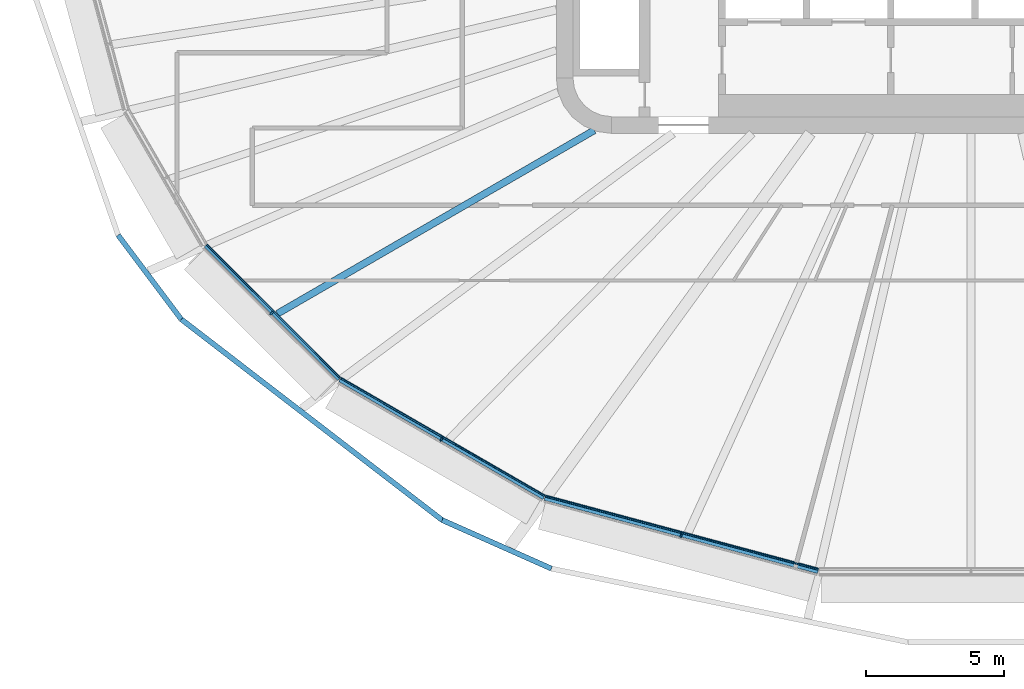
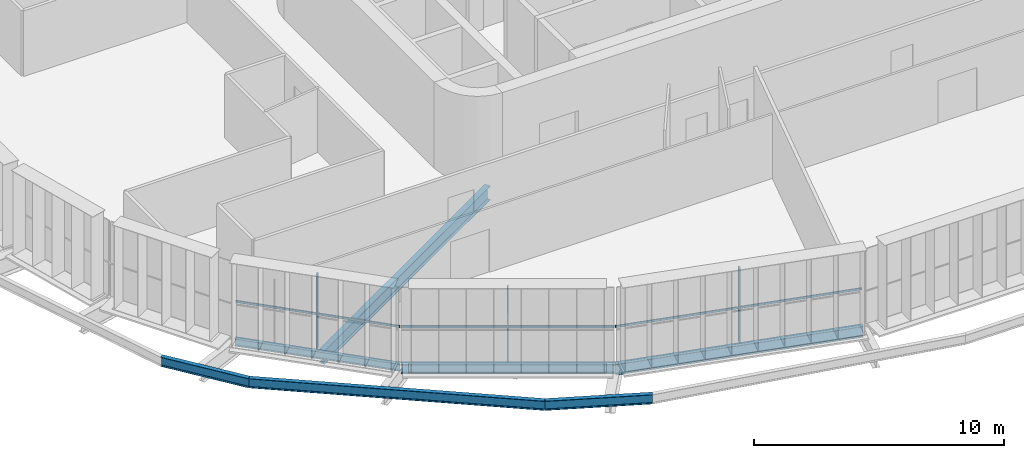
# One storey, part 1 of 25: 7 beams, 6 members, 3 elements without a shape of their own.
"""IFC4 building model written with IfcOpenShell, lengths in metres."""

from ifc_helpers import new_model, si_unit, direction, frame, origin, origin_2d, place, context, subcontext, project, spatial, rectangle, i_section, extrude, material, layer, layer_set, material_profile, profile_set, type_object, element, aggregate, save


model = new_model("IFC4")

# Units and contexts
model_context = context("Model", 3, precision=1e-05, world=origin(), true_north=direction((0.0, 1.0)))
body_context = subcontext(model_context, "Body", "Model", "MODEL_VIEW")
ifc_project = project(units=[si_unit("LENGTHUNIT", "METRE"), si_unit("AREAUNIT", "SQUARE_METRE"), si_unit("VOLUMEUNIT", "CUBIC_METRE"), si_unit("PLANEANGLEUNIT", "RADIAN"), si_unit("MASSUNIT", "GRAM", prefix="KILO")], contexts=[model_context])

# Site, building, storey
site_placement = place(None, origin())
site = spatial("IfcSite", under=ifc_project, at=site_placement, CompositionType="ELEMENT")
building_placement = place(site_placement, origin())
building = spatial("IfcBuilding", under=site, at=building_placement, Name="Sahrelin Media Tower", CompositionType="ELEMENT")
storey_placement = place(building_placement, frame((0.0, 0.0, 110.39990234375)))
storey = spatial("IfcBuildingStorey", under=building, at=storey_placement, Name="L21", CompositionType="ELEMENT", Elevation=110.39990234375)

# Beams
ifc_material_1 = material(Name="Steel S355", Category="steel")
ifc_material_profile_1 = material_profile(ifc_material_1, i_section(OverallWidth=0.17138671875, OverallDepth=0.35498046875, WebThickness=0.00732421875, FlangeThickness=0.011474609375, FilletRadius=0.01025390625, at=origin_2d()), Name="UB 356x171x51")
ifc_profile_set_1 = profile_set([ifc_material_profile_1], Name="Steel S355")
beam_type_1 = type_object("IfcBeamType", Name="Edge beam EB3", PredefinedType="BEAM", material=ifc_profile_set_1)
beam_1_placement = place(storey_placement, frame((-22.849609375, -16.8798828125, -0.327392578125), z_axis=(-0.707124646667, 0.707088915255, 0.0), x_axis=(-0.707088915255, -0.707124646667, 0.0)))
element("IfcBeam", 1, at=beam_1_placement, inside=storey, type_object=beam_type_1, Name="Edge beam L21-10", PredefinedType="BEAM", context=body_context, shape_type="SweptSolid", body=[
    extrude(i_section(OverallWidth=0.17138671875, OverallDepth=0.35498046875, WebThickness=0.00732421875, FlangeThickness=0.011474609375, FilletRadius=0.01025390625, at=origin_2d()), origin(), (0.0, 0.0, 1.0), 6.832763671875),
])
ifc_material_profile_2 = material_profile(ifc_material_1, i_section(OverallWidth=0.1904296875, OverallDepth=0.45703125, WebThickness=0.009033203125, FlangeThickness=0.014404296875, FilletRadius=0.01025390625, at=origin_2d()), Name="UB 457x191x74")
ifc_profile_set_2 = profile_set([ifc_material_profile_2], Name="Steel S355")
beam_type_2 = type_object("IfcBeamType", Name="Edge beam EB5", PredefinedType="BEAM", material=ifc_profile_set_2)
beam_2_placement = place(storey_placement, frame((-15.438232421875, -21.163330078125, -0.37841796875), z_axis=(-0.866017364183, 0.500013924739, 0.0), x_axis=(-0.500013924739, -0.866017364183, 0.0)))
element("IfcBeam", 2, at=beam_2_placement, inside=storey, type_object=beam_type_2, Name="Edge beam L21-09", PredefinedType="BEAM", context=body_context, shape_type="SweptSolid", body=[
    extrude(i_section(OverallWidth=0.1904296875, OverallDepth=0.45703125, WebThickness=0.009033203125, FlangeThickness=0.014404296875, FilletRadius=0.01025390625, at=origin_2d()), origin(), (0.0, 0.0, 1.0), 8.531494140625),
])
ifc_material_profile_3 = material_profile(ifc_material_1, i_section(OverallWidth=0.208740234375, OverallDepth=0.5283203125, WebThickness=0.009521484375, FlangeThickness=0.01318359375, FilletRadius=0.0126953125, at=origin_2d()), Name="UB 533x210x82")
ifc_profile_set_3 = profile_set([ifc_material_profile_3], Name="Steel S355")
beam_type_3 = type_object("IfcBeamType", Name="Edge beam EB6", PredefinedType="BEAM", material=ifc_profile_set_3)
beam_3_placement = place(storey_placement, frame((-5.525146484375, -23.8232421875, -0.4140625), z_axis=(-0.965929419345, 0.258805635261, 0.0), x_axis=(-0.258805635261, -0.965929419345, 0.0)))
element("IfcBeam", 3, at=beam_3_placement, inside=storey, type_object=beam_type_3, Name="Edge beam L21-08", PredefinedType="BEAM", context=body_context, shape_type="SweptSolid", body=[
    extrude(i_section(OverallWidth=0.208740234375, OverallDepth=0.5283203125, WebThickness=0.009521484375, FlangeThickness=0.01318359375, FilletRadius=0.0126953125, at=origin_2d()), origin(), (0.0, 0.0, 1.0), 10.235107421875),
])

# Curtain wall, member
ifc_material_2 = material(Name="Champagne anodised aluminium 6063-T6", Category="aluminium")
ifc_layer = layer(ifc_material_2, 0.14990234375)
ifc_layer_set = layer_set([ifc_layer], Name="Tower ribbon curtain wall")
curtain_wall_type = type_object("IfcCurtainWallType", Name="Tower ribbon curtain wall", PredefinedType="NOTDEFINED", material=ifc_layer_set)
curtain_wall_1_placement = place(storey_placement, frame((-25.371337890625, -14.5703125, 0.0), z_axis=(0.0, 0.0, 1.0), x_axis=(1.0, 0.0, 0.0)))
curtain_wall_1 = element("IfcCurtainWall", 4, at=curtain_wall_1_placement, inside=storey, type_object=curtain_wall_type, Name="L21:CW:L21-15", PredefinedType="NOTDEFINED")
ifc_material_profile_4 = material_profile(ifc_material_2, rectangle(XDim=0.06005859375, YDim=0.14990234375, at=origin_2d()), Name="Mullion 60x150")
ifc_profile_set_4 = profile_set([ifc_material_profile_4], Name="Champagne anodised aluminium 6063-T6")
member_type_1 = type_object("IfcMemberType", Name="Mullion 60x150 CW1", PredefinedType="MULLION", material=ifc_profile_set_4)
member_1_placement = place(storey_placement, frame((-25.30419921875, -14.503173828125, 0.0), z_axis=(0.0, 0.0, 1.0), x_axis=(0.707106781187, -0.707106781187, 0.0)))
member_1 = element("IfcMember", 5, at=member_1_placement, type_object=member_type_1, Name="L21:CWM:L21-15", PredefinedType="MULLION", context=body_context, shape_type="SweptSolid", body=[
    extrude(rectangle(XDim=0.06005859375, YDim=0.14990234375, at=origin_2d()), origin(), (0.0, 0.0, 1.0), 3.648681640625),
])

curtain_wall_2_placement = place(storey_placement, frame((-19.20751953125, -19.160400390625, 0.0), z_axis=(0.0, 0.0, 1.0), x_axis=(1.0, 0.0, 0.0)))
curtain_wall_2 = element("IfcCurtainWall", 6, at=curtain_wall_2_placement, inside=storey, type_object=curtain_wall_type, Name="L21:CW:L21-16", PredefinedType="NOTDEFINED")
member_2_placement = place(storey_placement, frame((-19.159912109375, -19.077880859375, 0.0), z_axis=(0.0, 0.0, 1.0), x_axis=(0.866024531118, -0.500001511499, 0.0)))
member_2 = element("IfcMember", 7, at=member_2_placement, type_object=member_type_1, Name="L21:CWM:L21-16", PredefinedType="MULLION", context=body_context, shape_type="SweptSolid", body=[
    extrude(rectangle(XDim=0.06005859375, YDim=0.14990234375, at=origin_2d()), origin(), (0.0, 0.0, 1.0), 3.648681640625),
])

curtain_wall_3_placement = place(storey_placement, frame((-10.507080078125, -22.643798828125, 0.0), z_axis=(0.0, 0.0, 1.0), x_axis=(1.0, 0.0, 0.0)))
curtain_wall_3 = element("IfcCurtainWall", 8, at=curtain_wall_3_placement, inside=storey, type_object=curtain_wall_type, Name="L21:CW:L21-17", PredefinedType="NOTDEFINED")
member_3_placement = place(storey_placement, frame((-10.482666015625, -22.552001953125, 0.0), z_axis=(0.0, 0.0, 1.0), x_axis=(0.965926278012, -0.258817359244, 0.0)))
member_3 = element("IfcMember", 9, at=member_3_placement, type_object=member_type_1, Name="L21:CWM:L21-17", PredefinedType="MULLION", context=body_context, shape_type="SweptSolid", body=[
    extrude(rectangle(XDim=0.06005859375, YDim=0.14990234375, at=origin_2d()), origin(), (0.0, 0.0, 1.0), 3.648681640625),
])

# Beams
ifc_material_profile_5 = material_profile(ifc_material_1, i_section(OverallWidth=0.2529296875, OverallDepth=0.677978515625, WebThickness=0.01171875, FlangeThickness=0.01611328125, FilletRadius=0.01513671875, at=origin_2d()), Name="UB 686x254x125")
ifc_profile_set_5 = profile_set([ifc_material_profile_5], Name="Steel S355")
beam_type_4 = type_object("IfcBeamType", Name="Radial secondary beam SB8", PredefinedType="BEAM", material=ifc_profile_set_5)
beam_4_placement = place(storey_placement, frame((-13.625, -7.887451171875, -0.48876953125), z_axis=(-0.865447741605, -0.500999208134, 0.0), x_axis=(0.500999208134, -0.865447741605, 0.0)))
element("IfcBeam", 10, at=beam_4_placement, inside=storey, type_object=beam_type_4, Name="Secondary beam L21-15", PredefinedType="BEAM", context=body_context, shape_type="SweptSolid", body=[
    extrude(i_section(OverallWidth=0.2529296875, OverallDepth=0.677978515625, WebThickness=0.01171875, FlangeThickness=0.01611328125, FilletRadius=0.01513671875, at=origin_2d()), origin(), (0.0, 0.0, 1.0), 13.2431640625),
])
ifc_material_profile_6 = material_profile(ifc_material_1, i_section(OverallWidth=0.1904296875, OverallDepth=0.45703125, WebThickness=0.009033203125, FlangeThickness=0.014404296875, FilletRadius=0.01025390625, at=origin_2d()), Name="UB 457x191x74")
ifc_profile_set_6 = profile_set([ifc_material_profile_6], Name="Steel S355")
beam_type_5 = type_object("IfcBeamType", Name="Tie chord TC5", PredefinedType="BEAM", material=ifc_profile_set_6)
beam_5_placement = place(storey_placement, frame((-30.852294921875, -11.682861328125, -0.37841796875), z_axis=(0.600051373024, -0.799961467654, 0.0), x_axis=(0.799961467654, 0.600051373024, 0.0)))
element("IfcBeam", 11, at=beam_5_placement, inside=storey, type_object=beam_type_5, Name="Tie chord L21-14", PredefinedType="BEAM", context=body_context, shape_type="SweptSolid", body=[
    extrude(i_section(OverallWidth=0.1904296875, OverallDepth=0.45703125, WebThickness=0.009033203125, FlangeThickness=0.014404296875, FilletRadius=0.01025390625, at=origin_2d()), origin(), (0.0, 0.0, 1.0), 3.8017578125),
])
beam_6_placement = place(storey_placement, frame((-28.571044921875, -14.72412109375, -0.37841796875), z_axis=(0.792450278181, -0.60993651851, 0.0), x_axis=(0.60993651851, 0.792450278181, 0.0)))
element("IfcBeam", 12, at=beam_6_placement, inside=storey, type_object=beam_type_5, Name="Tie chord L21-15", PredefinedType="BEAM", context=body_context, shape_type="SweptSolid", body=[
    extrude(i_section(OverallWidth=0.1904296875, OverallDepth=0.45703125, WebThickness=0.009033203125, FlangeThickness=0.014404296875, FilletRadius=0.01025390625, at=origin_2d()), origin(), (0.0, 0.0, 1.0), 11.91455078125),
])
beam_7_placement = place(storey_placement, frame((-19.12939453125, -21.9912109375, -0.37841796875), z_axis=(0.913841818255, -0.406070352535, 0.0), x_axis=(0.406070352535, 0.913841818255, 0.0)))
element("IfcBeam", 13, at=beam_7_placement, inside=storey, type_object=beam_type_5, Name="Tie chord L21-16", PredefinedType="BEAM", context=body_context, shape_type="SweptSolid", body=[
    extrude(i_section(OverallWidth=0.1904296875, OverallDepth=0.45703125, WebThickness=0.009033203125, FlangeThickness=0.014404296875, FilletRadius=0.01025390625, at=origin_2d()), origin(), (0.0, 0.0, 1.0), 4.323486328125),
])

# Member
ifc_material_profile_7 = material_profile(ifc_material_2, rectangle(XDim=0.050048828125, YDim=0.10009765625, at=origin_2d()), Name="Transom 50x100")
ifc_profile_set_7 = profile_set([ifc_material_profile_7], Name="Champagne anodised aluminium 6063-T6")
member_type_2 = type_object("IfcMemberType", Name="Transom 50x100 CW1", PredefinedType="USERDEFINED", material=ifc_profile_set_7)
member_4_placement = place(storey_placement, frame((-27.63818359375, -12.02783203125, 1.60009765625), z_axis=(0.707106781187, -0.707106781187, 0.0), x_axis=(0.707106781187, 0.707106781187, 0.0)))
member_4 = element("IfcMember", 14, at=member_4_placement, type_object=member_type_2, Name="L21:CWT:L21-15", ObjectType="TRANSOM", PredefinedType="USERDEFINED", context=body_context, shape_type="SweptSolid", body=[
    extrude(rectangle(XDim=0.050048828125, YDim=0.10009765625, at=origin_2d()), origin(), (0.0, 0.0, 1.0), 6.801513671875),
])

aggregate(curtain_wall_1, [member_1, member_4])

member_5_placement = place(storey_placement, frame((-22.79052734375, -16.866455078125, 1.60009765625), z_axis=(0.866021522889, -0.500006721848, 0.0), x_axis=(0.500006721848, 0.866021522889, 0.0)))
member_5 = element("IfcMember", 15, at=member_5_placement, type_object=member_type_2, Name="L21:CWT:L21-16", ObjectType="TRANSOM", PredefinedType="USERDEFINED", context=body_context, shape_type="SweptSolid", body=[
    extrude(rectangle(XDim=0.050048828125, YDim=0.10009765625, at=origin_2d()), origin(), (0.0, 0.0, 1.0), 8.5),
])

aggregate(curtain_wall_2, [member_2, member_5])

member_6_placement = place(storey_placement, frame((-15.384765625, -21.135009765625, 1.60009765625), z_axis=(0.965926477685, -0.258816614048, 0.0), x_axis=(0.258816614048, 0.965926477685, 0.0)))
member_6 = element("IfcMember", 16, at=member_6_placement, type_object=member_type_2, Name="L21:CWT:L21-17", ObjectType="TRANSOM", PredefinedType="USERDEFINED", context=body_context, shape_type="SweptSolid", body=[
    extrude(rectangle(XDim=0.050048828125, YDim=0.10009765625, at=origin_2d()), origin(), (0.0, 0.0, 1.0), 10.20361328125),
])

aggregate(curtain_wall_3, [member_3, member_6])

save(model, "model.ifc")
